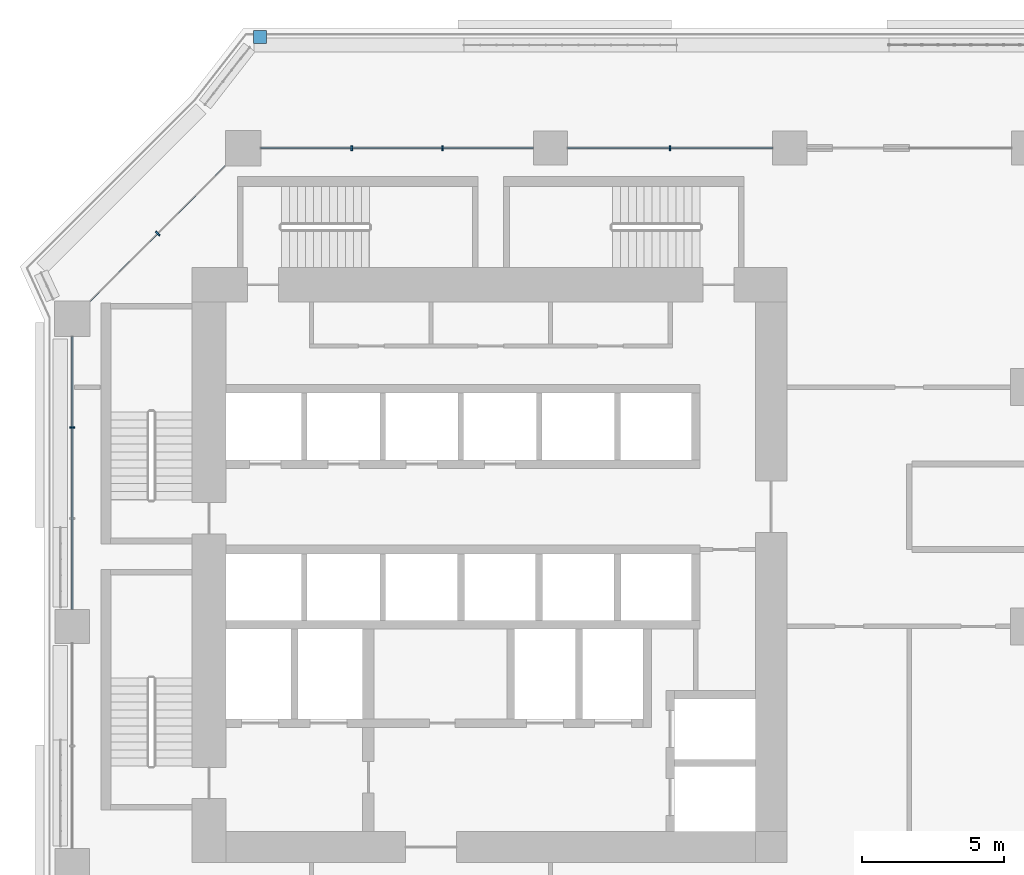
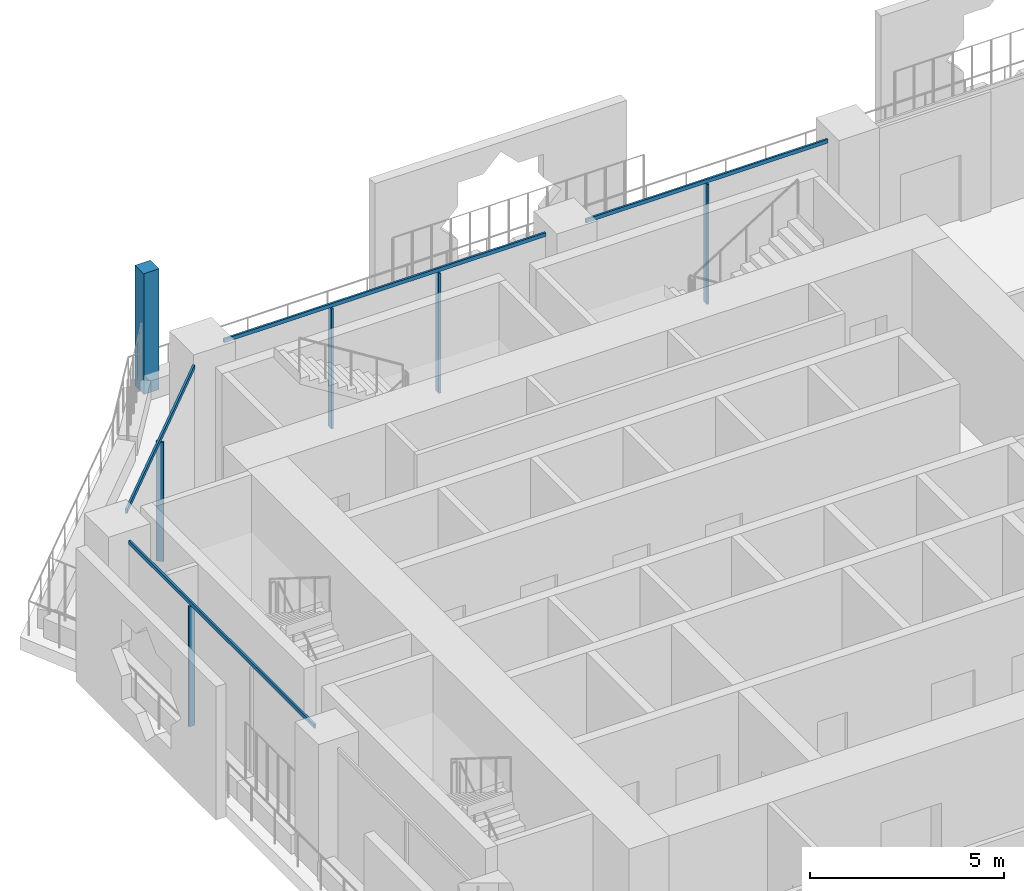
# One storey, part 8 of 29: 10 members, 4 elements without a shape of their own.
"""IFC4 building model written with IfcOpenShell, lengths in metres."""

from ifc_helpers import new_model, si_unit, direction, frame, origin, origin_2d, place, context, subcontext, project, spatial, rectangle, extrude, material, layer, layer_set, material_profile, profile_set, type_object, element, aggregate, save


model = new_model("IFC4")

# Units and contexts
model_context = context("Model", 3, precision=1e-05, world=origin(), true_north=direction((0.0, 1.0)))
body_context = subcontext(model_context, "Body", "Model", "MODEL_VIEW")
ifc_project = project(units=[si_unit("LENGTHUNIT", "METRE"), si_unit("AREAUNIT", "SQUARE_METRE"), si_unit("VOLUMEUNIT", "CUBIC_METRE"), si_unit("PLANEANGLEUNIT", "RADIAN"), si_unit("MASSUNIT", "GRAM", prefix="KILO")], contexts=[model_context])

# Site, building, storey
site_placement = place(None, origin())
site = spatial("IfcSite", under=ifc_project, at=site_placement, CompositionType="ELEMENT")
building_placement = place(site_placement, origin())
building = spatial("IfcBuilding", under=site, at=building_placement, Name="Kawkab Arch Medical Tower", CompositionType="ELEMENT")
storey_placement = place(building_placement, frame((0.0, 0.0, 60.199951171875)))
storey = spatial("IfcBuildingStorey", under=building, at=storey_placement, Name="L13", CompositionType="ELEMENT", Elevation=60.199951171875)

# Curtain wall, member
ifc_material_1 = material(Name="Bronze anodised aluminium curtain wall frame", Category="aluminium")
ifc_layer_1 = layer(ifc_material_1, 0.159912109375)
ifc_layer_set_1 = layer_set([ifc_layer_1], Name="Bronze anodised aluminium curtain wall frame")
curtain_wall_type_1 = type_object("IfcCurtainWallType", Name="CW1 ward curtain wall", PredefinedType="NOTDEFINED", material=ifc_layer_set_1)
placement = place(storey_placement, origin())
curtain_wall_1 = element("IfcCurtainWall", 1, at=placement, inside=storey, type_object=curtain_wall_type_1, Name="CW1 Ward curtain wall R01", PredefinedType="NOTDEFINED")
ifc_material_2 = material(Name="Bronze anodised aluminium curtain wall frame", Category="aluminium")
ifc_material_profile_1 = material_profile(ifc_material_2, rectangle(XDim=0.179931640625, YDim=0.06005859375, at=origin_2d()), Name="AL 60x180")
ifc_profile_set_1 = profile_set([ifc_material_profile_1], Name="Bronze anodised aluminium curtain wall frame")
member_type_1 = type_object("IfcMemberType", Name="CW1 mullion 60 x 180", PredefinedType="MULLION", material=ifc_profile_set_1)
member_1_placement = place(storey_placement, frame((0.0, -9.816650390625, 0.0), z_axis=(0.0, 0.0, 1.0), x_axis=(1.0, 0.0, 0.0)))
member_1 = element("IfcMember", 2, at=member_1_placement, type_object=member_type_1, Name="CW1 mullion 1.1", PredefinedType="MULLION", context=body_context, shape_type="SweptSolid", body=[
    extrude(rectangle(XDim=0.179931640625, YDim=0.06005859375, at=origin_2d()), origin(), (0.0, 0.0, 1.0), 3.780029296875),
])

# Curtain wall, members
curtain_wall_2 = element("IfcCurtainWall", 3, at=placement, inside=storey, type_object=curtain_wall_type_1, Name="CW1 Ward curtain wall R11", PredefinedType="NOTDEFINED")
member_2_placement = place(storey_placement, frame((21.0, 0.0, 0.0), z_axis=(0.0, 0.0, 1.0), x_axis=(0.0, -1.0, 0.0)))
member_2 = element("IfcMember", 4, at=member_2_placement, type_object=member_type_1, Name="CW1 mullion 7.1", PredefinedType="MULLION", context=body_context, shape_type="SweptSolid", body=[
    extrude(rectangle(XDim=0.179931640625, YDim=0.06005859375, at=origin_2d()), origin(), (0.0, 0.0, 1.0), 3.780029296875),
])
member_3_placement = place(storey_placement, frame((13.00830078125, 0.0, 0.0), z_axis=(0.0, 0.0, 1.0), x_axis=(0.0, -1.0, 0.0)))
member_3 = element("IfcMember", 5, at=member_3_placement, type_object=member_type_1, Name="CW1 mullion 8.1", PredefinedType="MULLION", context=body_context, shape_type="SweptSolid", body=[
    extrude(rectangle(XDim=0.179931640625, YDim=0.06005859375, at=origin_2d()), origin(), (0.0, 0.0, 1.0), 3.780029296875),
])
member_4_placement = place(storey_placement, frame((9.816650390625, 0.0, 0.0), z_axis=(0.0, 0.0, 1.0), x_axis=(0.0, -1.0, 0.0)))
member_4 = element("IfcMember", 6, at=member_4_placement, type_object=member_type_1, Name="CW1 mullion 8.2", PredefinedType="MULLION", context=body_context, shape_type="SweptSolid", body=[
    extrude(rectangle(XDim=0.179931640625, YDim=0.06005859375, at=origin_2d()), origin(), (0.0, 0.0, 1.0), 3.780029296875),
])

# Member
ifc_material_3 = material(Name="Bronze anodised aluminium curtain wall frame", Category="aluminium")
ifc_material_profile_2 = material_profile(ifc_material_3, rectangle(XDim=0.06005859375, YDim=0.1201171875, at=origin_2d()), Name="AL 60x120")
ifc_profile_set_2 = profile_set([ifc_material_profile_2], Name="Bronze anodised aluminium curtain wall frame")
member_type_2 = type_object("IfcMemberType", Name="CW1 transom 120 x 60", PredefinedType="USERDEFINED", material=ifc_profile_set_2)
member_5_placement = place(storey_placement, frame((0.0, -6.625, 3.840087890625), z_axis=(0.0, -1.0, 0.0), x_axis=(1.0, 0.0, 0.0)))
member_5 = element("IfcMember", 7, at=member_5_placement, type_object=member_type_2, Name="CW1 transom 1", ObjectType="TRANSOM", PredefinedType="USERDEFINED", context=body_context, shape_type="SweptSolid", body=[
    extrude(rectangle(XDim=0.06005859375, YDim=0.1201171875, at=origin_2d()), origin(), (0.0, 0.0, 1.0), 9.574951171875),
])

aggregate(curtain_wall_1, [member_5, member_1])

member_6_placement = place(storey_placement, frame((24.60009765625, 0.0, 3.840087890625), z_axis=(-1.0, 0.0, 0.0), x_axis=(0.0, -1.0, 0.0)))
member_6 = element("IfcMember", 8, at=member_6_placement, type_object=member_type_2, Name="CW1 transom 7", ObjectType="TRANSOM", PredefinedType="USERDEFINED", context=body_context, shape_type="SweptSolid", body=[
    extrude(rectangle(XDim=0.06005859375, YDim=0.1201171875, at=origin_2d()), origin(), (0.0, 0.0, 1.0), 7.2001953125),
])

member_7_placement = place(storey_placement, frame((16.199951171875, 0.0, 3.840087890625), z_axis=(-1.0, 0.0, 0.0), x_axis=(0.0, -1.0, 0.0)))
member_7 = element("IfcMember", 9, at=member_7_placement, type_object=member_type_2, Name="CW1 transom 8", ObjectType="TRANSOM", PredefinedType="USERDEFINED", context=body_context, shape_type="SweptSolid", body=[
    extrude(rectangle(XDim=0.06005859375, YDim=0.1201171875, at=origin_2d()), origin(), (0.0, 0.0, 1.0), 9.574951171875),
])

aggregate(curtain_wall_2, [member_6, member_2, member_7, member_3, member_4])

# Curtain wall, members
ifc_material_4 = material(Name="Bronze anodised aluminium curtain wall frame", Category="aluminium")
ifc_layer_2 = layer(ifc_material_4, 0.159912109375)
ifc_layer_set_2 = layer_set([ifc_layer_2], Name="Bronze anodised aluminium curtain wall frame")
curtain_wall_type_2 = type_object("IfcCurtainWallType", Name="CW2 chamfer curtain wall", PredefinedType="NOTDEFINED", material=ifc_layer_set_2)
curtain_wall_3 = element("IfcCurtainWall", 10, at=placement, inside=storey, type_object=curtain_wall_type_2, Name="CW2 Chamfer curtain wall R12", PredefinedType="NOTDEFINED")
ifc_material_5 = material(Name="Bronze anodised aluminium curtain wall frame", Category="aluminium")
ifc_material_profile_3 = material_profile(ifc_material_5, rectangle(XDim=0.199951171875, YDim=0.06005859375, at=origin_2d()), Name="AL 60x200")
ifc_profile_set_3 = profile_set([ifc_material_profile_3], Name="Bronze anodised aluminium curtain wall frame")
member_type_3 = type_object("IfcMemberType", Name="CW2 mullion 60 x 200", PredefinedType="MULLION", material=ifc_profile_set_3)
member_8_placement = place(storey_placement, frame((3.0, -3.0, 0.0), z_axis=(0.0, 0.0, 1.0), x_axis=(0.707106781187, -0.707106781187, 0.0)))
member_8 = element("IfcMember", 11, at=member_8_placement, type_object=member_type_3, Name="CW2 mullion 1.1", PredefinedType="MULLION", context=body_context, shape_type="SweptSolid", body=[
    extrude(rectangle(XDim=0.199951171875, YDim=0.06005859375, at=origin_2d()), origin(), (0.0, 0.0, 1.0), 3.760009765625),
])
ifc_material_6 = material(Name="Bronze anodised aluminium curtain wall frame", Category="aluminium")
ifc_material_profile_4 = material_profile(ifc_material_6, rectangle(XDim=0.06005859375, YDim=0.139892578125, at=origin_2d()), Name="AL 60x140")
ifc_profile_set_4 = profile_set([ifc_material_profile_4], Name="Bronze anodised aluminium curtain wall frame")
member_type_4 = type_object("IfcMemberType", Name="CW2 transom 140 x 60", PredefinedType="USERDEFINED", material=ifc_profile_set_4)
member_9_placement = place(storey_placement, frame((5.375, -0.625, 3.830078125), z_axis=(-0.707106781187, -0.707106781187, 0.0), x_axis=(0.707106781187, -0.707106781187, 0.0)))
member_9 = element("IfcMember", 12, at=member_9_placement, type_object=member_type_4, Name="CW2 transom 1", ObjectType="TRANSOM", PredefinedType="USERDEFINED", context=body_context, shape_type="SweptSolid", body=[
    extrude(rectangle(XDim=0.06005859375, YDim=0.139892578125, at=origin_2d()), origin(), (0.0, 0.0, 1.0), 6.717529296875),
])
aggregate(curtain_wall_3, [member_9, member_8])

# Curtain wall, member
ifc_material_7 = material(Name="Bronze anodised aluminium climber frame, planted", Category="aluminium")
ifc_layer_3 = layer(ifc_material_7, 0.449951171875)
ifc_layer_set_3 = layer_set([ifc_layer_3], Name="Bronze anodised aluminium climber frame, planted")
curtain_wall_type_3 = type_object("IfcCurtainWallType", Name="Planted climber frame", PredefinedType="NOTDEFINED", material=ifc_layer_set_3)
curtain_wall_4 = element("IfcCurtainWall", 13, at=placement, inside=storey, type_object=curtain_wall_type_3, Name="Planted climber frame L13", PredefinedType="NOTDEFINED")
ifc_material_8 = material(Name="Bronze anodised aluminium climber frame, planted", Category="aluminium")
ifc_material_profile_5 = material_profile(ifc_material_8, rectangle(XDim=0.449951171875, YDim=0.449951171875, at=origin_2d()), Name="Post 450x450")
ifc_profile_set_5 = profile_set([ifc_material_profile_5], Name="Bronze anodised aluminium climber frame, planted")
member_type_5 = type_object("IfcMemberType", Name="Planted climber post 450 x 450", PredefinedType="MULLION", material=ifc_profile_set_5)
member_10_placement = place(storey_placement, frame((6.596923828125, 3.89990234375, 0.0), z_axis=(0.0, 0.0, 1.0), x_axis=(1.0, 0.0, 0.0)))
member_10 = element("IfcMember", 14, at=member_10_placement, type_object=member_type_5, Name="Planted climber post L13.LOG-01-01.3", PredefinedType="MULLION", context=body_context, shape_type="SweptSolid", body=[
    extrude(rectangle(XDim=0.449951171875, YDim=0.449951171875, at=origin_2d()), origin(), (0.0, 0.0, 1.0), 3.800048828125),
])
aggregate(curtain_wall_4, [member_10])

save(model, "model.ifc")
